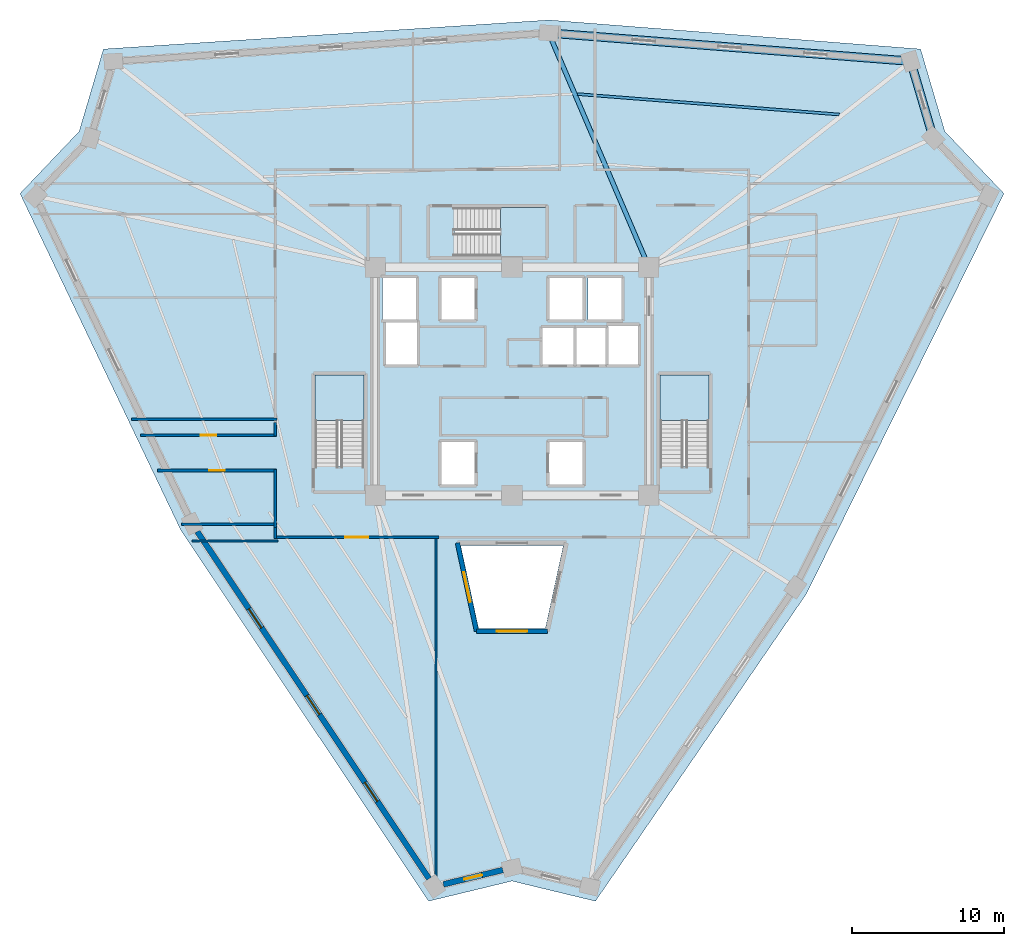
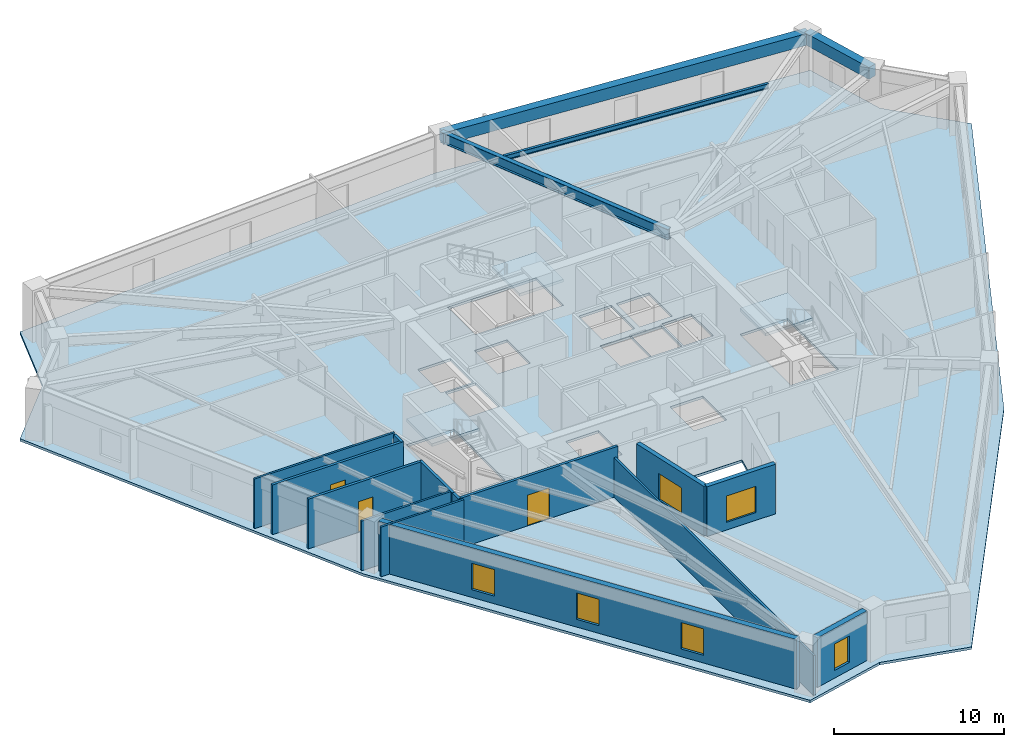
# One storey, part 2 of 8: 14 walls, 6 windows, 4 beams, 4 slabs, 3 doors, 9 openings, 3 elements without a shape of their own.
"""IFC4 building model written with IfcOpenShell, lengths in metres."""

from ifc_helpers import new_model, si_unit, direction, frame, frame_2d, origin, origin_2d, place, context, subcontext, project, spatial, polyline, rectangle, i_section, outline, extrude, source, transform, mapped, material, layer, layer_set, material_profile, profile_set, type_object, element, fill, aggregate, save


model = new_model("IFC4")

# Units and contexts
model_context = context("Model", 3, precision=1e-05, world=origin(), true_north=direction((0.0, 1.0)))
body_context = subcontext(model_context, "Body", "Model", "MODEL_VIEW")
ifc_project = project(units=[si_unit("LENGTHUNIT", "METRE"), si_unit("AREAUNIT", "SQUARE_METRE"), si_unit("VOLUMEUNIT", "CUBIC_METRE"), si_unit("PLANEANGLEUNIT", "RADIAN"), si_unit("MASSUNIT", "GRAM", prefix="KILO")], contexts=[model_context])

# Site, building, storey
site_placement = place(None, origin())
site = spatial("IfcSite", under=ifc_project, at=site_placement, CompositionType="ELEMENT")
building_placement = place(site_placement, origin())
building = spatial("IfcBuilding", under=site, at=building_placement, Name="Liaohun Quay Tower", CompositionType="ELEMENT")
storey_placement = place(building_placement, frame((0.0, 0.0, 270.0)))
storey = spatial("IfcBuildingStorey", under=building, at=storey_placement, Name="L70", CompositionType="ELEMENT", Elevation=270.0)

# Beams
ifc_material_1 = material(Name="Steel Q355D", Category="steel")
ifc_material_profile_1 = material_profile(ifc_material_1, i_section(OverallWidth=0.300048828125, OverallDepth=0.75, WebThickness=0.013916015625, FlangeThickness=0.02587890625, at=origin_2d()), Name="HN750x300x14x26")
ifc_profile_set_1 = profile_set([ifc_material_profile_1], Name="Steel Q355D")
beam_type_1 = type_object("IfcBeamType", Name="BM-RAD-M2", PredefinedType="BEAM", material=ifc_profile_set_1)
shared_shape_1 = source(origin(), body_context, "Body", "SweptSolid", [
    extrude(i_section(OverallWidth=0.300048828125, OverallDepth=0.75, WebThickness=0.013916015625, FlangeThickness=0.02587890625, at=origin_2d()), origin(), (0.0, 0.0, 1.0), 16.7490234375),
])
beam_1_placement = place(storey_placement, frame((69.0, 61.5, 3.195068359375), z_axis=(-0.393331635304, 0.919396663399, 0.0), x_axis=(-0.919396663399, -0.393331635304, 0.0)))
element("IfcBeam", 1, at=beam_1_placement, inside=storey, type_object=beam_type_1, Name="L70 Radial Primary Girder CC4-PC06", PredefinedType="BEAM", context=body_context, shape_type="MappedRepresentation", body=[
    mapped(shared_shape_1, transform((0.0, 0.0, 0.0), x_axis=(1.0, 0.0, 0.0), y_axis=(0.0, 1.0, 0.0), z_axis=(0.0, 0.0, 1.0), scale=1.0)),
])
ifc_material_profile_2 = material_profile(ifc_material_1, i_section(OverallWidth=0.175048828125, OverallDepth=0.35009765625, WebThickness=0.007080078125, FlangeThickness=0.010986328125, at=origin_2d()), Name="HN350x175x7x11")
ifc_profile_set_2 = profile_set([ifc_material_profile_2], Name="Steel Q355D")
beam_type_2 = type_object("IfcBeamType", Name="BM-SEC-J3", PredefinedType="JOIST", material=ifc_profile_set_2)
shared_shape_2 = source(origin(), body_context, "Body", "SweptSolid", [
    extrude(i_section(OverallWidth=0.175048828125, OverallDepth=0.35009765625, WebThickness=0.007080078125, FlangeThickness=0.010986328125, at=origin_2d()), origin(), (0.0, 0.0, 1.0), 17.2734375),
])
beam_2_placement = place(storey_placement, frame((64.2939453125, 72.882080078125, 3.39501953125), z_axis=(0.996964010265, -0.077863741477, 0.0), x_axis=(0.077863741477, 0.996964010265, 0.0)))
element("IfcBeam", 2, at=beam_2_placement, inside=storey, type_object=beam_type_2, Name="L70 Wing Secondary Floor Joist SJ-09", PredefinedType="JOIST", context=body_context, shape_type="MappedRepresentation", body=[
    mapped(shared_shape_2, transform((0.0, 0.0, 0.0), x_axis=(1.0, 0.0, 0.0), y_axis=(0.0, 1.0, 0.0), z_axis=(0.0, 0.0, 1.0), scale=1.0)),
])
ifc_material_2 = material(Name="Precast concrete C50", Category="concrete")
ifc_material_profile_3 = material_profile(ifc_material_2, rectangle(XDim=0.550048828125, YDim=0.85009765625, at=origin_2d()), Name="RC550x850")
ifc_profile_set_3 = profile_set([ifc_material_profile_3], Name="Precast concrete C50")
beam_type_3 = type_object("IfcBeamType", Name="BM-SPD-Z3", PredefinedType="SPANDREL", material=ifc_profile_set_3)
shared_shape_3 = source(origin(), body_context, "Body", "SweptSolid", [
    extrude(rectangle(XDim=0.550048828125, YDim=0.85009765625, at=origin_2d()), origin(), (0.0, 0.0, 1.0), 23.870361328125),
])
beam_3_placement = place(storey_placement, frame((62.412109375, 76.89892578125, 3.14501953125), z_axis=(0.996963183645, -0.07787432476, 0.0), x_axis=(0.07787432476, 0.996963183645, 0.0)))
element("IfcBeam", 3, at=beam_3_placement, inside=storey, type_object=beam_type_3, Name="L70 Precast Spandrel Beam PC06-PC07", PredefinedType="SPANDREL", context=body_context, shape_type="MappedRepresentation", body=[
    mapped(shared_shape_3, transform((0.0, 0.0, 0.0), x_axis=(1.0, 0.0, 0.0), y_axis=(0.0, 1.0, 0.0), z_axis=(0.0, 0.0, 1.0), scale=1.0)),
])
shared_shape_4 = source(origin(), body_context, "Body", "SweptSolid", [
    extrude(rectangle(XDim=0.550048828125, YDim=0.85009765625, at=origin_2d()), origin(), (0.0, 0.0, 1.0), 5.262939453125),
])
beam_4_placement = place(storey_placement, frame((86.2099609375, 75.0400390625, 3.14501953125), z_axis=(0.282743925376, -0.959195429859, 0.0), x_axis=(0.959195429859, 0.282743925376, 0.0)))
element("IfcBeam", 4, at=beam_4_placement, inside=storey, type_object=beam_type_3, Name="L70 Precast Spandrel Beam PC07-PC08", PredefinedType="SPANDREL", context=body_context, shape_type="MappedRepresentation", body=[
    mapped(shared_shape_4, transform((0.0, 0.0, 0.0), x_axis=(1.0, 0.0, 0.0), y_axis=(0.0, 1.0, 0.0), z_axis=(0.0, 0.0, 1.0), scale=1.0)),
])

# Stair, slab
ifc_material_3 = material(Name="Concrete C45", Category="concrete")
stair_type = type_object("IfcStairType", Name="STR-CORE-OFF", PredefinedType="HALF_TURN_STAIR", material=ifc_material_3)
stair_1_placement = place(storey_placement, origin())
stair_1 = element("IfcStair", 5, at=stair_1_placement, inside=storey, type_object=stair_type, Name="L70 Smokeproof Core Exit Stair ST-1", PredefinedType="HALF_TURN_STAIR")
ifc_layer_1 = layer(ifc_material_3, 0.199951171875, Name="Concrete C45", Category="concrete")
ifc_layer_set_1 = layer_set([ifc_layer_1], Name="Concrete C45")
slab_type_1 = type_object("IfcSlabType", Name="SLB-LND-200", PredefinedType="LANDING", material=ifc_layer_set_1)
slab_1_placement = place(storey_placement, frame((0.0, 0.0, 1.675048828125)))
slab_1 = element("IfcSlab", 6, at=slab_1_placement, type_object=slab_type_1, Name="ST-1 landing 1", PredefinedType="LANDING", context=body_context, shape_type="SweptSolid", body=[
    extrude(outline(polyline([(50.280029296875, 51.429931640625), (50.280029296875, 54.419921875), (47.0400390625, 54.419921875), (47.0400390625, 51.429931640625), (50.280029296875, 51.429931640625)])), origin(), (0.0, 0.0, 1.0), 0.199951171875),
])
aggregate(stair_1, [slab_1])

stair_2_placement = place(storey_placement, origin())
stair_2 = element("IfcStair", 7, at=stair_2_placement, inside=storey, type_object=stair_type, Name="L70 Smokeproof Core Exit Stair ST-2", PredefinedType="HALF_TURN_STAIR")
slab_2_placement = place(storey_placement, frame((0.0, 0.0, 1.675048828125)))
slab_2 = element("IfcSlab", 8, at=slab_2_placement, type_object=slab_type_1, Name="ST-2 landing 1", PredefinedType="LANDING", context=body_context, shape_type="SweptSolid", body=[
    extrude(outline(polyline([(72.9599609375, 51.429931640625), (72.9599609375, 54.419921875), (69.719970703125, 54.419921875), (69.719970703125, 51.429931640625), (72.9599609375, 51.429931640625)])), origin(), (0.0, 0.0, 1.0), 0.199951171875),
])
aggregate(stair_2, [slab_2])

stair_3_placement = place(storey_placement, origin())
stair_3 = element("IfcStair", 9, at=stair_3_placement, inside=storey, type_object=stair_type, Name="L70 Smokeproof Core Exit Stair ST-3", PredefinedType="HALF_TURN_STAIR")
slab_3_placement = place(storey_placement, frame((0.0, 0.0, 1.675048828125)))
slab_3 = element("IfcSlab", 10, at=slab_3_placement, type_object=slab_type_1, Name="ST-3 landing 1", PredefinedType="LANDING", context=body_context, shape_type="SweptSolid", body=[
    extrude(outline(polyline([(59.22998046875, 62.199951171875), (62.219970703125, 62.199951171875), (62.219970703125, 65.43994140625), (59.22998046875, 65.43994140625), (59.22998046875, 62.199951171875)])), origin(), (0.0, 0.0, 1.0), 0.199951171875),
])
aggregate(stair_3, [slab_3])

# Slab
ifc_layer_2 = layer(ifc_material_3, 0.179931640625, Name="Concrete C45", Category="concrete")
ifc_layer_set_2 = layer_set([ifc_layer_2], Name="Concrete C45")
slab_type_2 = type_object("IfcSlabType", Name="SLB-OFF-180", PredefinedType="FLOOR", material=ifc_layer_set_2)
slab_4_placement = place(storey_placement, frame((0.0, 0.0, -0.179931640625)))
element("IfcSlab", 11, at=slab_4_placement, inside=storey, type_object=slab_type_2, Name="L70 Structural Floor Slab", PredefinedType="FLOOR", context=body_context, shape_type="SweptSolid", body=[
    extrude(outline(polyline([(54.514892578125, 19.818115234375), (60.0, 21.14306640625), (65.485107421875, 19.818115234375), (79.360107421875, 40.031005859375), (92.344970703125, 66.341064453125), (88.455078125, 70.428955078125), (86.860107421875, 75.842041015625), (62.4169921875, 77.7509765625), (33.139892578125, 75.842041015625), (31.544921875, 70.428955078125), (27.655029296875, 66.341064453125), (38.222900390625, 44.218017578125), (54.514892578125, 19.818115234375)]), holes=[polyline([(63.373046875, 43.199951171875), (56.626953125, 43.199951171875), (57.80810546875, 37.739990234375), (62.19189453125, 37.739990234375), (63.373046875, 43.199951171875)]), polyline([(57.56005859375, 47.2099609375), (57.56005859375, 50.030029296875), (55.340087890625, 50.030029296875), (55.340087890625, 47.2099609375), (57.56005859375, 47.2099609375)]), polyline([(50.280029296875, 54.419921875), (47.0400390625, 54.419921875), (47.0400390625, 48.409912109375), (50.280029296875, 48.409912109375), (50.280029296875, 54.419921875)]), polyline([(53.760009765625, 55.090087890625), (53.760009765625, 57.909912109375), (51.7099609375, 57.909912109375), (51.7099609375, 55.090087890625), (53.760009765625, 55.090087890625)]), polyline([(53.7099609375, 58.0400390625), (53.7099609375, 60.7900390625), (51.489990234375, 60.7900390625), (51.489990234375, 58.0400390625), (53.7099609375, 58.0400390625)]), polyline([(57.56005859375, 58.0400390625), (57.56005859375, 60.7900390625), (55.340087890625, 60.7900390625), (55.340087890625, 58.0400390625), (57.56005859375, 58.0400390625)]), polyline([(62.219970703125, 62.199951171875), (62.219970703125, 65.43994140625), (56.2099609375, 65.43994140625), (56.2099609375, 62.199951171875), (62.219970703125, 62.199951171875)]), polyline([(64.659912109375, 50.030029296875), (62.43994140625, 50.030029296875), (62.43994140625, 47.2099609375), (64.659912109375, 47.2099609375), (64.659912109375, 50.030029296875)]), polyline([(72.9599609375, 54.419921875), (69.719970703125, 54.419921875), (69.719970703125, 48.409912109375), (72.9599609375, 48.409912109375), (72.9599609375, 54.419921875)]), polyline([(64.06005859375, 55.090087890625), (64.06005859375, 57.510009765625), (61.989990234375, 57.510009765625), (61.989990234375, 55.090087890625), (64.06005859375, 55.090087890625)]), polyline([(66.159912109375, 55.090087890625), (66.159912109375, 57.510009765625), (64.090087890625, 57.510009765625), (64.090087890625, 55.090087890625), (66.159912109375, 55.090087890625)]), polyline([(68.2900390625, 55.090087890625), (68.2900390625, 57.659912109375), (66.2900390625, 57.659912109375), (66.2900390625, 55.090087890625), (68.2900390625, 55.090087890625)]), polyline([(64.659912109375, 58.0400390625), (64.659912109375, 60.7900390625), (62.43994140625, 60.7900390625), (62.43994140625, 58.0400390625), (64.659912109375, 58.0400390625)]), polyline([(67.2099609375, 58.0400390625), (67.2099609375, 60.7900390625), (64.989990234375, 60.7900390625), (64.989990234375, 58.0400390625), (67.2099609375, 58.0400390625)])]), origin(), (0.0, 0.0, 1.0), 0.179931640625),
])

# Wall, opening, window
ifc_material_4 = material(Name="Concrete C50", Category="concrete")
ifc_layer_3 = layer(ifc_material_4, 0.300048828125, Name="Concrete C50", Category="concrete")
ifc_layer_set_3 = layer_set([ifc_layer_3], Name="Concrete C50")
wall_type_1 = type_object("IfcWallType", Name="WAL-ATR-300", PredefinedType="SOLIDWALL", material=ifc_layer_set_3)
wall_1_placement = place(storey_placement, frame((57.6708984375, 37.570068359375, 0.0), z_axis=(0.0, 0.0, 1.0), x_axis=(-0.211464510569, 0.977385676573, 0.0)))
wall_1 = element("IfcWall", 12, at=wall_1_placement, inside=storey, type_object=wall_type_1, Name="L70 Atrium Fire Compartment Wall 1", PredefinedType="SOLIDWALL", context=body_context, shape_type="SweptSolid", body=[
    extrude(rectangle(XDim=5.934326171875, YDim=0.300048828125, at=frame_2d((2.96728515625, 0.0))), origin(), (0.0, 0.0, 1.0), 3.570068359375),
])
shared_shape_5 = source(origin(), body_context, "Body", "SweptSolid", [
    extrude(rectangle(XDim=2.0, YDim=1.89990234375, at=frame_2d((1.0, 0.949951171875))), frame((0.0, 0.159912109375, 0.0), z_axis=(0.0, -1.0, 0.0), x_axis=(1.0, 0.0, 0.0)), (0.0, 0.0, 1.0), 0.320068359375),
])
opening_1_placement = place(wall_1_placement, frame((1.967041015625, 0.0, 0.550048828125)))
opening_1 = element("IfcOpeningElement", 13, at=opening_1_placement, cuts=wall_1, Name="Opening W07", PredefinedType="OPENING", context=body_context, shape_type="MappedRepresentation", body=[
    mapped(shared_shape_5, transform((0.0, 0.0, 0.0), x_axis=(1.0, 0.0, 0.0), y_axis=(0.0, 1.0, 0.0), z_axis=(0.0, 0.0, 1.0), scale=1.0)),
])
ifc_material_5 = material(Name="Class A 180-min fire-resistant insulated glazing", Category="glass")
window_type_1 = type_object("IfcWindowType", Name="WIN-ATR-FIR", PartitioningType="DOUBLE_PANEL_VERTICAL", PredefinedType="WINDOW", material=ifc_material_5)
shared_shape_6 = source(origin(), body_context, "Body", "SweptSolid", [
    extrude(rectangle(XDim=2.0, YDim=1.89990234375, at=frame_2d((1.0, 0.949951171875))), frame((0.0, 0.030029296875, 0.0), z_axis=(0.0, -1.0, 0.0), x_axis=(1.0, 0.0, 0.0)), (0.0, 0.0, 1.0), 0.06005859375),
])
window_1_placement = place(opening_1_placement, origin())
window_1 = element("IfcWindow", 14, at=window_1_placement, inside=storey, type_object=window_type_1, Name="L70 Atrium Fire-Resistant Glazing W07-1", OverallHeight=1.89990234375, OverallWidth=2.0, PartitioningType="DOUBLE_PANEL_VERTICAL", PredefinedType="WINDOW", context=body_context, shape_type="MappedRepresentation", body=[
    mapped(shared_shape_6, transform((0.0, 0.0, 0.0), x_axis=(1.0, 0.0, 0.0), y_axis=(0.0, 1.0, 0.0), z_axis=(0.0, 0.0, 1.0), scale=1.0)),
])
fill(opening_1, window_1)

wall_2_placement = place(storey_placement, frame((62.3291015625, 37.570068359375, 0.0), z_axis=(0.0, 0.0, 1.0), x_axis=(-1.0, 0.0, 0.0)))
wall_2 = element("IfcWall", 15, at=wall_2_placement, inside=storey, type_object=wall_type_1, Name="L70 Atrium Fire Compartment Wall 4", PredefinedType="SOLIDWALL", context=body_context, shape_type="SweptSolid", body=[
    extrude(rectangle(XDim=4.658203125, YDim=0.300048828125, at=frame_2d((2.3291015625, 0.0))), origin(), (0.0, 0.0, 1.0), 3.570068359375),
])
opening_2_placement = place(wall_2_placement, frame((1.3291015625, 0.0, 0.550048828125)))
opening_2 = element("IfcOpeningElement", 16, at=opening_2_placement, cuts=wall_2, Name="Opening W07", PredefinedType="OPENING", context=body_context, shape_type="MappedRepresentation", body=[
    mapped(shared_shape_5, transform((0.0, 0.0, 0.0), x_axis=(1.0, 0.0, 0.0), y_axis=(0.0, 1.0, 0.0), z_axis=(0.0, 0.0, 1.0), scale=1.0)),
])
window_2_placement = place(opening_2_placement, origin())
window_2 = element("IfcWindow", 17, at=window_2_placement, inside=storey, type_object=window_type_1, Name="L70 Atrium Fire-Resistant Glazing W07-4", OverallHeight=1.89990234375, OverallWidth=2.0, PartitioningType="DOUBLE_PANEL_VERTICAL", PredefinedType="WINDOW", context=body_context, shape_type="MappedRepresentation", body=[
    mapped(shared_shape_6, transform((0.0, 0.0, 0.0), x_axis=(1.0, 0.0, 0.0), y_axis=(0.0, 1.0, 0.0), z_axis=(0.0, 0.0, 1.0), scale=1.0)),
])
fill(opening_2, window_2)

# Wall, openings, windows
ifc_material_6 = material(Name="Precast concrete C50 insulated sandwich", Category="concrete")
ifc_layer_4 = layer(ifc_material_6, 0.3798828125, Name="Precast concrete C50 insulated sandwich", Category="concrete")
ifc_layer_set_4 = layer_set([ifc_layer_4], Name="Precast concrete C50 insulated sandwich")
wall_type_2 = type_object("IfcWallType", Name="WAL-EXT-Z34", PredefinedType="SOLIDWALL", material=ifc_layer_set_4)
wall_3_placement = place(storey_placement, frame((39.305908203125, 44.1279296875, 0.0), z_axis=(0.0, 0.0, 1.0), x_axis=(0.555258257402, -0.831677983108, 0.0)))
wall_3 = element("IfcWall", 18, at=wall_3_placement, inside=storey, type_object=wall_type_2, Name="L70 Brutalist Precast Pier Wall 11", PredefinedType="SOLIDWALL", context=body_context, shape_type="SweptSolid", body=[
    extrude(rectangle(XDim=27.4541015625, YDim=0.3798828125, at=frame_2d((13.72705078125, 0.0))), origin(), (0.0, 0.0, 1.0), 3.570068359375),
])
shared_shape_7 = source(origin(), body_context, "Body", "SweptSolid", [
    extrude(rectangle(XDim=1.5, YDim=1.89990234375, at=frame_2d((0.75, 0.949951171875))), frame((0.0, 0.199951171875, 0.0), z_axis=(0.0, -1.0, 0.0), x_axis=(1.0, 0.0, 0.0)), (0.0, 0.0, 1.0), 0.39990234375),
])
opening_3_placement = place(wall_3_placement, frame((6.114013671875, 0.0, 0.550048828125)))
opening_3 = element("IfcOpeningElement", 19, at=opening_3_placement, cuts=wall_3, Name="Opening W03", PredefinedType="OPENING", context=body_context, shape_type="MappedRepresentation", body=[
    mapped(shared_shape_7, transform((0.0, 0.0, 0.0), x_axis=(1.0, 0.0, 0.0), y_axis=(0.0, 1.0, 0.0), z_axis=(0.0, 0.0, 1.0), scale=1.0)),
])
opening_4_placement = place(wall_3_placement, frame((12.97705078125, 0.0, 0.550048828125)))
opening_4 = element("IfcOpeningElement", 20, at=opening_4_placement, cuts=wall_3, Name="Opening W03", PredefinedType="OPENING", context=body_context, shape_type="MappedRepresentation", body=[
    mapped(shared_shape_7, transform((0.0, 0.0, 0.0), x_axis=(1.0, 0.0, 0.0), y_axis=(0.0, 1.0, 0.0), z_axis=(0.0, 0.0, 1.0), scale=1.0)),
])
opening_5_placement = place(wall_3_placement, frame((19.841064453125, 0.0, 0.550048828125)))
opening_5 = element("IfcOpeningElement", 21, at=opening_5_placement, cuts=wall_3, Name="Opening W03", PredefinedType="OPENING", context=body_context, shape_type="MappedRepresentation", body=[
    mapped(shared_shape_7, transform((0.0, 0.0, 0.0), x_axis=(1.0, 0.0, 0.0), y_axis=(0.0, 1.0, 0.0), z_axis=(0.0, 0.0, 1.0), scale=1.0)),
])
ifc_material_7 = material(Name="Triple Low-E argon glazing in thermally broken aluminium", Category="aluminium")
window_type_2 = type_object("IfcWindowType", Name="WIN-PUN-Z3", PartitioningType="DOUBLE_PANEL_VERTICAL", PredefinedType="WINDOW", material=ifc_material_7)
shared_shape_8 = source(origin(), body_context, "Body", "SweptSolid", [
    extrude(rectangle(XDim=1.5, YDim=1.89990234375, at=frame_2d((0.75, 0.949951171875))), frame((0.0, 0.030029296875, 0.0), z_axis=(0.0, -1.0, 0.0), x_axis=(1.0, 0.0, 0.0)), (0.0, 0.0, 1.0), 0.06005859375),
])
window_3_placement = place(opening_3_placement, origin())
window_3 = element("IfcWindow", 22, at=window_3_placement, inside=storey, type_object=window_type_2, Name="L70 Recessed Cold-Climate Punched Window 11-1", OverallHeight=1.89990234375, OverallWidth=1.5, PartitioningType="DOUBLE_PANEL_VERTICAL", PredefinedType="WINDOW", context=body_context, shape_type="MappedRepresentation", body=[
    mapped(shared_shape_8, transform((0.0, 0.0, 0.0), x_axis=(1.0, 0.0, 0.0), y_axis=(0.0, 1.0, 0.0), z_axis=(0.0, 0.0, 1.0), scale=1.0)),
])
fill(opening_3, window_3)
window_4_placement = place(opening_4_placement, origin())
window_4 = element("IfcWindow", 23, at=window_4_placement, inside=storey, type_object=window_type_2, Name="L70 Recessed Cold-Climate Punched Window 11-2", OverallHeight=1.89990234375, OverallWidth=1.5, PartitioningType="DOUBLE_PANEL_VERTICAL", PredefinedType="WINDOW", context=body_context, shape_type="MappedRepresentation", body=[
    mapped(shared_shape_8, transform((0.0, 0.0, 0.0), x_axis=(1.0, 0.0, 0.0), y_axis=(0.0, 1.0, 0.0), z_axis=(0.0, 0.0, 1.0), scale=1.0)),
])
fill(opening_4, window_4)
window_5_placement = place(opening_5_placement, origin())
window_5 = element("IfcWindow", 24, at=window_5_placement, inside=storey, type_object=window_type_2, Name="L70 Recessed Cold-Climate Punched Window 11-3", OverallHeight=1.89990234375, OverallWidth=1.5, PartitioningType="DOUBLE_PANEL_VERTICAL", PredefinedType="WINDOW", context=body_context, shape_type="MappedRepresentation", body=[
    mapped(shared_shape_8, transform((0.0, 0.0, 0.0), x_axis=(1.0, 0.0, 0.0), y_axis=(0.0, 1.0, 0.0), z_axis=(0.0, 0.0, 1.0), scale=1.0)),
])
fill(opening_5, window_5)

# Wall, opening, window
wall_4_placement = place(storey_placement, frame((55.489990234375, 20.927978515625, 0.0), z_axis=(0.0, 0.0, 1.0), x_axis=(0.972038774705, 0.234820400455, 0.0)))
wall_4 = element("IfcWall", 25, at=wall_4_placement, inside=storey, type_object=wall_type_2, Name="L70 Brutalist Precast Pier Wall 12", PredefinedType="SOLIDWALL", context=body_context, shape_type="SweptSolid", body=[
    extrude(rectangle(XDim=4.024658203125, YDim=0.3798828125, at=frame_2d((2.01220703125, 0.0))), origin(), (0.0, 0.0, 1.0), 3.570068359375),
])
shared_shape_9 = source(origin(), body_context, "Body", "SweptSolid", [
    extrude(rectangle(XDim=1.199951171875, YDim=1.89990234375, at=frame_2d((0.60009765625, 0.949951171875))), frame((0.0, 0.199951171875, 0.0), z_axis=(0.0, -1.0, 0.0), x_axis=(1.0, 0.0, 0.0)), (0.0, 0.0, 1.0), 0.39990234375),
])
opening_6_placement = place(wall_4_placement, frame((1.412109375, 0.0, 0.550048828125)))
opening_6 = element("IfcOpeningElement", 26, at=opening_6_placement, cuts=wall_4, Name="Opening W05", PredefinedType="OPENING", context=body_context, shape_type="MappedRepresentation", body=[
    mapped(shared_shape_9, transform((0.0, 0.0, 0.0), x_axis=(1.0, 0.0, 0.0), y_axis=(0.0, 1.0, 0.0), z_axis=(0.0, 0.0, 1.0), scale=1.0)),
])
ifc_material_8 = material(Name="Triple Low-E corner notch glazing", Category="glass")
window_type_3 = type_object("IfcWindowType", Name="WIN-NOTCH", PartitioningType="SINGLE_PANEL", PredefinedType="WINDOW", material=ifc_material_8)
shared_shape_10 = source(origin(), body_context, "Body", "SweptSolid", [
    extrude(rectangle(XDim=1.199951171875, YDim=1.89990234375, at=frame_2d((0.60009765625, 0.949951171875))), frame((0.0, 0.030029296875, 0.0), z_axis=(0.0, -1.0, 0.0), x_axis=(1.0, 0.0, 0.0)), (0.0, 0.0, 1.0), 0.06005859375),
])
window_6_placement = place(opening_6_placement, origin())
window_6 = element("IfcWindow", 27, at=window_6_placement, inside=storey, type_object=window_type_3, Name="L70 Corner Notch Window W05-12", OverallHeight=1.89990234375, OverallWidth=1.199951171875, PartitioningType="SINGLE_PANEL", PredefinedType="WINDOW", context=body_context, shape_type="MappedRepresentation", body=[
    mapped(shared_shape_10, transform((0.0, 0.0, 0.0), x_axis=(1.0, 0.0, 0.0), y_axis=(0.0, 1.0, 0.0), z_axis=(0.0, 0.0, 1.0), scale=1.0)),
])
fill(opening_6, window_6)

# Wall, opening, door
ifc_material_9 = material(Name="Autoclaved aerated concrete blockwork", Category="masonry")
ifc_layer_5 = layer(ifc_material_9, 0.179931640625, Name="Autoclaved aerated concrete blockwork", Category="masonry")
ifc_layer_set_5 = layer_set([ifc_layer_5], Name="Autoclaved aerated concrete blockwork")
wall_type_3 = type_object("IfcWallType", Name="WAL-PRT-COR", PredefinedType="PARTITIONING", material=ifc_layer_set_5)
wall_5_placement = place(storey_placement, frame((35.592041015625, 50.4599609375, 0.0), z_axis=(0.0, 0.0, 1.0), x_axis=(1.0, 0.0, 0.0)))
wall_5 = element("IfcWall", 28, at=wall_5_placement, inside=storey, type_object=wall_type_3, Name="L70 Interior Partition Wall 019", PredefinedType="PARTITIONING", context=body_context, shape_type="SweptSolid", body=[
    extrude(rectangle(XDim=8.91796875, YDim=0.179931640625, at=frame_2d((4.458984375, 0.0))), origin(), (0.0, 0.0, 1.0), 3.570068359375),
])
shared_shape_11 = source(origin(), body_context, "Body", "SweptSolid", [
    extrude(rectangle(XDim=1.0, YDim=2.199951171875, at=frame_2d((0.5, 1.10009765625))), frame((0.0, 0.099853515625, 0.0), z_axis=(0.0, -1.0, 0.0), x_axis=(1.0, 0.0, 0.0)), (0.0, 0.0, 1.0), 0.199951171875),
])
opening_7_placement = place(wall_5_placement, frame((3.958984375, 0.0, 0.0)))
opening_7 = element("IfcOpeningElement", 29, at=opening_7_placement, cuts=wall_5, Name="Opening OD1", PredefinedType="OPENING", context=body_context, shape_type="MappedRepresentation", body=[
    mapped(shared_shape_11, transform((0.0, 0.0, 0.0), x_axis=(1.0, 0.0, 0.0), y_axis=(0.0, 1.0, 0.0), z_axis=(0.0, 0.0, 1.0), scale=1.0)),
])
ifc_material_10 = material(Name="Solid-core oak veneer timber leaf in steel frame", Category="steel")
door_type_1 = type_object("IfcDoorType", Name="DOR-OFF-1000", OperationType="NOTDEFINED", PredefinedType="DOOR", material=ifc_material_10)
shared_shape_12 = source(origin(), body_context, "Body", "SweptSolid", [
    extrude(rectangle(XDim=1.0, YDim=2.199951171875, at=frame_2d((0.5, 1.10009765625))), frame((0.0, 0.02490234375, 0.0), z_axis=(0.0, -1.0, 0.0), x_axis=(1.0, 0.0, 0.0)), (0.0, 0.0, 1.0), 0.050048828125),
])
door_1_placement = place(opening_7_placement, origin())
door_1 = element("IfcDoor", 30, at=door_1_placement, inside=storey, type_object=door_type_1, Name="L70 Corporate Exhibition Gallery 08 Door", OperationType="SINGLE_SWING_LEFT", OverallHeight=2.199951171875, OverallWidth=1.0, PredefinedType="DOOR", context=body_context, shape_type="MappedRepresentation", body=[
    mapped(shared_shape_12, transform((0.0, 0.0, 0.0), x_axis=(1.0, 0.0, 0.0), y_axis=(0.0, 1.0, 0.0), z_axis=(0.0, 0.0, 1.0), scale=1.0)),
])
fill(opening_7, door_1)

wall_6_placement = place(storey_placement, frame((44.510009765625, 48.139892578125, 0.0), z_axis=(0.0, 0.0, 1.0), x_axis=(-1.0, 0.0, 0.0)))
wall_6 = element("IfcWall", 31, at=wall_6_placement, inside=storey, type_object=wall_type_3, Name="L70 Interior Partition Wall 020", PredefinedType="PARTITIONING", context=body_context, shape_type="SweptSolid", body=[
    extrude(rectangle(XDim=7.80908203125, YDim=0.179931640625, at=frame_2d((3.904541015625, 0.0))), origin(), (0.0, 0.0, 1.0), 3.570068359375),
])
opening_8_placement = place(wall_6_placement, frame((3.404052734375, 0.0, 0.0)))
opening_8 = element("IfcOpeningElement", 32, at=opening_8_placement, cuts=wall_6, Name="Opening OD1", PredefinedType="OPENING", context=body_context, shape_type="MappedRepresentation", body=[
    mapped(shared_shape_11, transform((0.0, 0.0, 0.0), x_axis=(1.0, 0.0, 0.0), y_axis=(0.0, 1.0, 0.0), z_axis=(0.0, 0.0, 1.0), scale=1.0)),
])
door_2_placement = place(opening_8_placement, origin())
door_2 = element("IfcDoor", 33, at=door_2_placement, inside=storey, type_object=door_type_1, Name="L70 Records Archive Store 09 Door", OperationType="SINGLE_SWING_RIGHT", OverallHeight=2.199951171875, OverallWidth=1.0, PredefinedType="DOOR", context=body_context, shape_type="MappedRepresentation", body=[
    mapped(shared_shape_12, transform((0.0, 0.0, 0.0), x_axis=(1.0, 0.0, 0.0), y_axis=(0.0, 1.0, 0.0), z_axis=(0.0, 0.0, 1.0), scale=1.0)),
])
fill(opening_8, door_2)

wall_7_placement = place(storey_placement, frame((55.215087890625, 43.739990234375, 0.0), z_axis=(0.0, 0.0, 1.0), x_axis=(-1.0, 0.0, 0.0)))
wall_7 = element("IfcWall", 34, at=wall_7_placement, inside=storey, type_object=wall_type_3, Name="L70 Interior Partition Wall 021", PredefinedType="PARTITIONING", context=body_context, shape_type="SweptSolid", body=[
    extrude(rectangle(XDim=10.844970703125, YDim=0.179931640625, at=frame_2d((5.42236328125, 0.0))), origin(), (0.0, 0.0, 1.0), 3.570068359375),
])
shared_shape_13 = source(origin(), body_context, "Body", "SweptSolid", [
    extrude(rectangle(XDim=1.5, YDim=2.199951171875, at=frame_2d((0.75, 1.10009765625))), frame((0.0, 0.099853515625, 0.0), z_axis=(0.0, -1.0, 0.0), x_axis=(1.0, 0.0, 0.0)), (0.0, 0.0, 1.0), 0.199951171875),
])
opening_9_placement = place(wall_7_placement, frame((4.673095703125, 0.0, 0.0)))
opening_9 = element("IfcOpeningElement", 35, at=opening_9_placement, cuts=wall_7, Name="Opening OD2", PredefinedType="OPENING", context=body_context, shape_type="MappedRepresentation", body=[
    mapped(shared_shape_13, transform((0.0, 0.0, 0.0), x_axis=(1.0, 0.0, 0.0), y_axis=(0.0, 1.0, 0.0), z_axis=(0.0, 0.0, 1.0), scale=1.0)),
])
ifc_material_11 = material(Name="Acoustic oak veneer double door")
door_type_2 = type_object("IfcDoorType", Name="DOR-OFF-1500", OperationType="DOUBLE_DOOR_SINGLE_SWING", PredefinedType="DOOR", material=ifc_material_11)
shared_shape_14 = source(origin(), body_context, "Body", "SweptSolid", [
    extrude(rectangle(XDim=1.5, YDim=2.199951171875, at=frame_2d((0.75, 1.10009765625))), frame((0.0, 0.02490234375, 0.0), z_axis=(0.0, -1.0, 0.0), x_axis=(1.0, 0.0, 0.0)), (0.0, 0.0, 1.0), 0.050048828125),
])
door_3_placement = place(opening_9_placement, origin())
door_3 = element("IfcDoor", 36, at=door_3_placement, inside=storey, type_object=door_type_2, Name="L70 Open-Plan Office Workplace 10 Door", OperationType="DOUBLE_DOOR_SINGLE_SWING", OverallHeight=2.199951171875, OverallWidth=1.5, PredefinedType="DOOR", context=body_context, shape_type="MappedRepresentation", body=[
    mapped(shared_shape_14, transform((0.0, 0.0, 0.0), x_axis=(1.0, 0.0, 0.0), y_axis=(0.0, 1.0, 0.0), z_axis=(0.0, 0.0, 1.0), scale=1.0)),
])
fill(opening_9, door_3)

# Walls
wall_8_placement = place(storey_placement, frame((44.43994140625, 50.389892578125, 0.0), z_axis=(0.0, 0.0, 1.0), x_axis=(0.0, 1.0, 0.0)))
element("IfcWall", 37, at=wall_8_placement, inside=storey, type_object=wall_type_3, Name="L70 Interior Partition Wall 043", PredefinedType="PARTITIONING", context=body_context, shape_type="SweptSolid", body=[
    extrude(rectangle(XDim=0.89501953125, YDim=0.179931640625, at=frame_2d((0.447509765625, 0.0))), origin(), (0.0, 0.0, 1.0), 3.570068359375),
])
wall_9_placement = place(storey_placement, frame((44.43994140625, 44.385009765625, 0.0), z_axis=(0.0, 0.0, 1.0), x_axis=(0.0, 1.0, 0.0)))
element("IfcWall", 38, at=wall_9_placement, inside=storey, type_object=wall_type_3, Name="L70 Interior Partition Wall 044", PredefinedType="PARTITIONING", context=body_context, shape_type="SweptSolid", body=[
    extrude(rectangle(XDim=3.824951171875, YDim=0.179931640625, at=frame_2d((1.91259765625, 0.0))), origin(), (0.0, 0.0, 1.0), 3.570068359375),
])
wall_10_placement = place(storey_placement, frame((44.43994140625, 43.669921875, 0.0), z_axis=(0.0, 0.0, 1.0), x_axis=(0.0, 1.0, 0.0)))
element("IfcWall", 39, at=wall_10_placement, inside=storey, type_object=wall_type_3, Name="L70 Interior Partition Wall 045", PredefinedType="PARTITIONING", context=body_context, shape_type="SweptSolid", body=[
    extrude(rectangle(XDim=0.715087890625, YDim=0.179931640625, at=frame_2d((0.357421875, 0.0))), origin(), (0.0, 0.0, 1.0), 3.570068359375),
])
ifc_material_12 = material(Name="Gypsum board on twin steel studs", Category="steel")
ifc_layer_6 = layer(ifc_material_12, 0.139892578125, Name="Gypsum board on twin steel studs", Category="steel")
ifc_layer_set_6 = layer_set([ifc_layer_6], Name="Gypsum board on twin steel studs")
wall_type_4 = type_object("IfcWallType", Name="WAL-PRT-OFF", PredefinedType="PARTITIONING", material=ifc_layer_set_6)
wall_11_placement = place(storey_placement, frame((44.60009765625, 43.5, 0.0), z_axis=(0.0, 0.0, 1.0), x_axis=(-1.0, 0.0, 0.0)))
element("IfcWall", 40, at=wall_11_placement, inside=storey, type_object=wall_type_4, Name="L70 Interior Partition Wall 047", PredefinedType="PARTITIONING", context=body_context, shape_type="SweptSolid", body=[
    extrude(rectangle(XDim=5.633056640625, YDim=0.139892578125, at=frame_2d((2.81640625, 0.0))), origin(), (0.0, 0.0, 1.0), 3.570068359375),
])
wall_12_placement = place(storey_placement, frame((44.5400390625, 44.60009765625, 0.0), z_axis=(0.0, 0.0, 1.0), x_axis=(-1.0, 0.0, 0.0)))
element("IfcWall", 41, at=wall_12_placement, inside=storey, type_object=wall_type_4, Name="L70 Interior Partition Wall 048", PredefinedType="PARTITIONING", context=body_context, shape_type="SweptSolid", body=[
    extrude(rectangle(XDim=6.256103515625, YDim=0.139892578125, at=frame_2d((3.1279296875, 0.0))), origin(), (0.0, 0.0, 1.0), 3.570068359375),
])
wall_13_placement = place(storey_placement, frame((44.5400390625, 51.5, 0.0), z_axis=(0.0, 0.0, 1.0), x_axis=(-1.0, 0.0, 0.0)))
element("IfcWall", 42, at=wall_13_placement, inside=storey, type_object=wall_type_4, Name="L70 Interior Partition Wall 049", PredefinedType="PARTITIONING", context=body_context, shape_type="SweptSolid", body=[
    extrude(rectangle(XDim=9.552001953125, YDim=0.139892578125, at=frame_2d((4.77587890625, 0.0))), origin(), (0.0, 0.0, 1.0), 3.570068359375),
])
wall_14_placement = place(storey_placement, frame((55.0, 43.840087890625, 0.0), z_axis=(0.0, 0.0, 1.0), x_axis=(0.0, -1.0, 0.0)))
element("IfcWall", 43, at=wall_14_placement, inside=storey, type_object=wall_type_4, Name="L70 Interior Partition Wall 057", PredefinedType="PARTITIONING", context=body_context, shape_type="SweptSolid", body=[
    extrude(rectangle(XDim=23.67919921875, YDim=0.139892578125, at=frame_2d((11.839599609375, 0.0))), origin(), (0.0, 0.0, 1.0), 2.85498046875),
])

save(model, "model.ifc")
